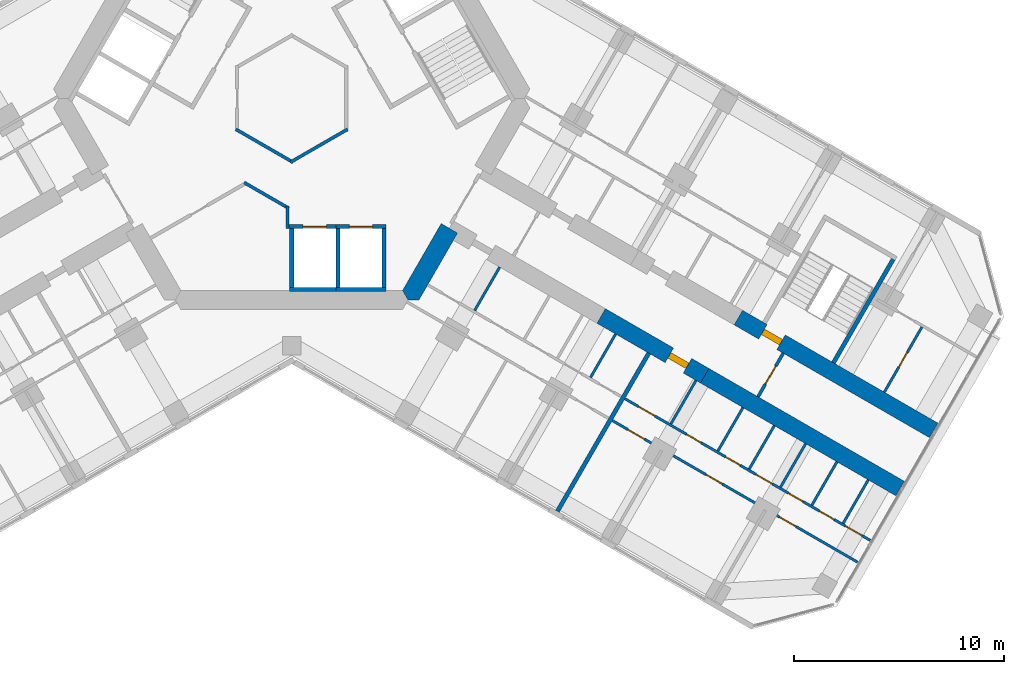
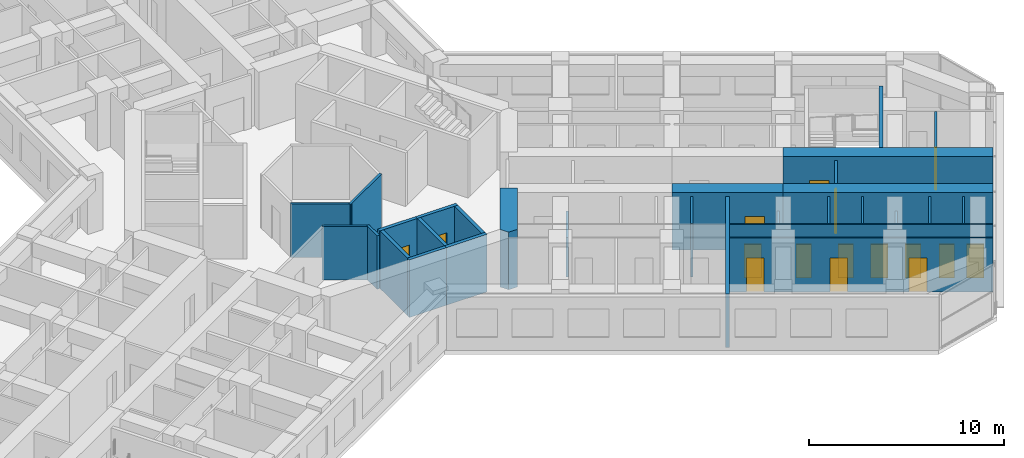
# One storey, part 14 of 19: 29 walls, 16 doors, 16 openings.
"""IFC4 building model written with IfcOpenShell, lengths in metres."""

import ifcopenshell
import ifcopenshell.guid

model = None  # the IFC model being written
_history = None  # IfcOwnerHistory: only IFC2X3 demands one
_inside = {}  # id of a spatial element -> (the spatial element, [elements in it])
_under = {}  # id of a project, library or spatial element -> (it, [spatial elements below it])
_declared = {}  # id of a project -> (the project, [libraries it declares])
_typed = {}  # id of a type object -> (the type object, [elements of that type])
_made_of = {}  # id of a material, layer set ... -> (it, [elements and type objects made of it])


def new_model(schema):
    """Start an empty IFC model of exactly this schema.

    Asked for "IFC4X3", IfcOpenShell would pick the latest addendum, in which some entities
    have other attributes; the version numbers below select the first issue.
    IFC2X3 requires an IfcOwnerHistory on every rooted entity: one is made here for all.
    """
    global model, _history
    if schema == "IFC4X3":
        model = ifcopenshell.file(schema_version=(4, 3, 0, 0))
    else:
        model = ifcopenshell.file(schema=schema)
    _inside.clear()
    _under.clear()
    _declared.clear()
    _typed.clear()
    _made_of.clear()
    _history = None
    if model.schema == "IFC2X3":
        org = make("IfcOrganization", Name="unknown")
        user = make(
            "IfcPersonAndOrganization",
            ThePerson=make("IfcPerson", FamilyName="unknown"),
            TheOrganization=org,
        )
        app = make(
            "IfcApplication",
            ApplicationDeveloper=org,
            Version="unknown",
            ApplicationFullName="unknown",
            ApplicationIdentifier="unknown",
        )
        _history = make(
            "IfcOwnerHistory",
            OwningUser=user,
            OwningApplication=app,
            ChangeAction="ADDED",
            CreationDate=0,
        )
    return model


def make(cls, **values):
    """One entity of the class cls with the attributes given. An attribute that is None is left unset."""
    return model.create_entity(
        cls, **{name: value for name, value in values.items() if value is not None}
    )


def rooted(cls, **values):
    """An entity with a GlobalId (a new one), such as an element, a storey or a relation."""
    return make(cls, GlobalId=ifcopenshell.guid.new(), OwnerHistory=_history, **values)


def si_unit(unit_type, name, prefix=None):
    """IfcSIUnit, for example si_unit("LENGTHUNIT", "METRE", prefix="MILLI")."""
    return make("IfcSIUnit", UnitType=unit_type, Prefix=prefix, Name=name)


def assignment(units):
    """IfcUnitAssignment: the units of a project."""
    return None if units is None else make("IfcUnitAssignment", Units=units)


def point(xyz):
    """IfcCartesianPoint."""
    return None if xyz is None else make("IfcCartesianPoint", Coordinates=xyz)


def direction(xyz):
    """IfcDirection."""
    return None if xyz is None else make("IfcDirection", DirectionRatios=xyz)


def frame(location, z_axis=None, x_axis=None):
    """IfcAxis2Placement3D, a coordinate frame: its origin and axes. An axis left out is left unset."""
    return make(
        "IfcAxis2Placement3D",
        Location=point(location),
        Axis=direction(z_axis),
        RefDirection=direction(x_axis),
    )


def frame_2d(location, x_axis=None):
    """IfcAxis2Placement2D, a coordinate frame in the plane: its origin and x axis."""
    return make(
        "IfcAxis2Placement2D", Location=point(location), RefDirection=direction(x_axis)
    )


def origin():
    """The frame at (0, 0, 0) with its axes left unset."""
    return frame((0.0, 0.0, 0.0))


def place(relative_to, where):
    """IfcLocalPlacement: puts the frame where relative to a parent placement (None: the world)."""
    return make(
        "IfcLocalPlacement", PlacementRelTo=relative_to, RelativePlacement=where
    )


def context(
    kind, dimensions, precision=None, world=None, true_north=None, identifier=None
):
    """IfcGeometricRepresentationContext, for example the 3D "Model" context."""
    return make(
        "IfcGeometricRepresentationContext",
        ContextIdentifier=identifier,
        ContextType=kind,
        CoordinateSpaceDimension=dimensions,
        Precision=precision,
        WorldCoordinateSystem=world,
        TrueNorth=true_north,
    )


def subcontext(parent, identifier, kind, view, scale=None):
    """IfcGeometricRepresentationSubContext, for example "Body" below "Model"."""
    return make(
        "IfcGeometricRepresentationSubContext",
        ContextIdentifier=identifier,
        ContextType=kind,
        ParentContext=parent,
        TargetScale=scale,
        TargetView=view,
    )


def project(units=None, contexts=None):
    """IfcProject with its units and contexts."""
    return rooted(
        "IfcProject",
        Name="project",
        RepresentationContexts=contexts,
        UnitsInContext=assignment(units),
    )


def spatial(cls, under=None, at=None, **own):
    """A site, building, storey or space (cls), placed at a placement, below another one or the project."""
    s = rooted(cls, ObjectPlacement=at, **own)
    if under is not None:
        _under.setdefault(under.id(), (under, []))[1].append(s)
    return s


def polyline(points):
    """IfcPolyline through the points."""
    return make("IfcPolyline", Points=[point(p) for p in points])


def profile(cls, at=None, kind="AREA", **sizes):
    """A parametric profile (cls). Its sizes go by their IFC names, for example OverallWidth=200.0."""
    return make(cls, ProfileType=kind, Position=at, **sizes)


def rectangle(**sizes):
    """IfcRectangleProfileDef."""
    return profile("IfcRectangleProfileDef", **sizes)


def outline(outer, holes=None, kind="AREA"):
    """IfcArbitraryClosedProfileDef: a profile drawn as a closed curve; with holes, ...WithVoids."""
    if holes is None:
        return make("IfcArbitraryClosedProfileDef", ProfileType=kind, OuterCurve=outer)
    return make(
        "IfcArbitraryProfileDefWithVoids",
        ProfileType=kind,
        OuterCurve=outer,
        InnerCurves=holes,
    )


def extrude(swept, where, along, depth):
    """IfcExtrudedAreaSolid: the profile swept, set in the frame where, extruded along a direction by depth."""
    return make(
        "IfcExtrudedAreaSolid",
        SweptArea=swept,
        Position=where,
        ExtrudedDirection=direction(along),
        Depth=depth,
    )


def shape(context_of_items, identifier, shape_type, items):
    """IfcShapeRepresentation: the items that make up one representation, for example the "Body"."""
    return make(
        "IfcShapeRepresentation",
        ContextOfItems=context_of_items,
        RepresentationIdentifier=identifier,
        RepresentationType=shape_type,
        Items=items,
    )


def material(Name=None, Category=None):
    """IfcMaterial."""
    return make("IfcMaterial", Name=Name, Category=Category)


def layer(
    of_material, thickness, ventilated=None, Name=None, Category=None, Priority=None
):
    """IfcMaterialLayer: one layer of a wall or slab, of a material (None: an air gap)."""
    return make(
        "IfcMaterialLayer",
        Material=of_material,
        LayerThickness=thickness,
        IsVentilated=ventilated,
        Name=Name,
        Category=Category,
        Priority=Priority,
    )


def layer_set(layers, Name=None):
    """IfcMaterialLayerSet."""
    return make("IfcMaterialLayerSet", MaterialLayers=layers, LayerSetName=Name)


def made_of(thing, what):
    """Note that an element or type object is made of a material, layer set ...; save() writes the relation."""
    if what is not None:
        _made_of.setdefault(what.id(), (what, []))[1].append(thing)
    return thing


def type_object(cls, material=None, **own):
    """A type object (cls), such as IfcWallType, which elements share."""
    return made_of(rooted(cls, **own), material)


def element(
    cls,
    number,
    at=None,
    inside=None,
    cuts=None,
    type_object=None,
    material=None,
    context=None,
    identifier="Body",
    shape_type=None,
    held_by="IfcProductDefinitionShape",
    body=None,
    shapes=None,
    **own,
):
    """One element of the class cls, such as IfcWall. Its Tag is "e" and its number.

    at: its placement. inside: the storey or other place that contains it. cuts: it is an
    opening in that element (IfcRelVoidsElement). A single representation is given by context,
    identifier, shape_type and body (its items); several are given by shapes. held_by: the class
    of the entity that holds the representations. save() writes the other relations.
    """
    e = rooted(cls, Tag="e%d" % number, ObjectPlacement=at, **own)
    if body is not None:
        shapes = [shape(context, identifier, shape_type, body)]
    if shapes is not None:
        e.Representation = make(held_by, Representations=shapes)
    if inside is not None:
        _inside.setdefault(inside.id(), (inside, []))[1].append(e)
    if cuts is not None:
        rooted(
            "IfcRelVoidsElement", RelatingBuildingElement=cuts, RelatedOpeningElement=e
        )
    if type_object is not None:
        _typed.setdefault(type_object.id(), (type_object, []))[1].append(e)
    return made_of(e, material)


def fill(opening, filler):
    """IfcRelFillsElement: the door or window that sits in an opening."""
    return rooted(
        "IfcRelFillsElement",
        RelatingOpeningElement=opening,
        RelatedBuildingElement=filler,
    )


def aggregate(whole, parts):
    """IfcRelAggregates: a whole, such as a stair, and the parts it consists of."""
    return rooted("IfcRelAggregates", RelatingObject=whole, RelatedObjects=parts)


def save(model, path):
    """Write the relations noted so far, then the file.

    IfcRelAggregates (storeys below a building ...), IfcRelContainedInSpatialStructure (elements
    in a storey), IfcRelDefinesByType, IfcRelAssociatesMaterial and IfcRelDeclares: one each for
    every whole, place, type object, material and project.
    """
    for whole, parts in _under.values():
        aggregate(whole, parts)
    for where, things in _inside.values():
        rooted(
            "IfcRelContainedInSpatialStructure",
            RelatedElements=things,
            RelatingStructure=where,
        )
    for kind, things in _typed.values():
        rooted("IfcRelDefinesByType", RelatedObjects=things, RelatingType=kind)
    for what, things in _made_of.values():
        rooted("IfcRelAssociatesMaterial", RelatedObjects=things, RelatingMaterial=what)
    for by, libraries in _declared.values():
        rooted("IfcRelDeclares", RelatingContext=by, RelatedDefinitions=libraries)
    model.write(path)


model = new_model("IFC4")

# Units and contexts
model_context = context("Model", 3, precision=1e-05, world=origin(), true_north=direction((0.0, 1.0)))
body_context = subcontext(model_context, "Body", "Model", "MODEL_VIEW")
ifc_project = project(units=[si_unit("LENGTHUNIT", "METRE"), si_unit("AREAUNIT", "SQUARE_METRE"), si_unit("VOLUMEUNIT", "CUBIC_METRE"), si_unit("PLANEANGLEUNIT", "RADIAN"), si_unit("MASSUNIT", "GRAM", prefix="KILO")], contexts=[model_context])

# Site, building, storey
site_placement = place(None, origin())
site = spatial("IfcSite", under=ifc_project, at=site_placement, CompositionType="ELEMENT")
building_placement = place(site_placement, origin())
building = spatial("IfcBuilding", under=site, at=building_placement, Name="Kosmar Iwan School Tower", CompositionType="ELEMENT")
storey_placement = place(building_placement, frame((0.0, 0.0, 168.800048828125)))
storey = spatial("IfcBuildingStorey", under=building, at=storey_placement, Name="L42", CompositionType="ELEMENT", Elevation=168.800048828125)

# Walls
ifc_material_1 = material(Name="Gypsum board on steel studs, fire-rated", Category="steel")
ifc_layer_1 = layer(ifc_material_1, 0.14990234375)
ifc_layer_set_1 = layer_set([ifc_layer_1], Name="Core room partition 150")
wall_type_1 = type_object("IfcWallType", Name="Core room partition 150", PredefinedType="PARTITIONING", material=ifc_layer_set_1)
wall_1_placement = place(storey_placement, frame((-2.264892578125, -4.00390625, 0.0), z_axis=(0.0, 0.0, 1.0), x_axis=(0.866016967894, -0.500014611105, 0.0)))
element("IfcWall", 1, at=wall_1_placement, inside=storey, type_object=wall_type_1, Name="Core room partition L42-CW6", PredefinedType="PARTITIONING", context=body_context, shape_type="SweptSolid", body=[
    extrude(rectangle(XDim=2.45947265625, YDim=0.14990234375, at=frame_2d((1.229736328125, 0.0))), origin(), (0.0, 0.0, 1.0), 3.349853515625),
])
wall_2_placement = place(storey_placement, frame((-0.199951171875, -5.12109375, 0.0), z_axis=(0.0, 0.0, 1.0), x_axis=(0.0, -1.0, 0.0)))
element("IfcWall", 2, at=wall_2_placement, inside=storey, type_object=wall_type_1, Name="Core room partition L42-CW7", PredefinedType="PARTITIONING", context=body_context, shape_type="SweptSolid", body=[
    extrude(rectangle(XDim=1.078857421875, YDim=0.14990234375, at=frame_2d((0.53955078125, 0.0))), origin(), (0.0, 0.0, 1.0), 3.349853515625),
])
for number, where, z_axis, x_axis, name in (
    (3, (2.6650390625, -1.463623046875, 0.0), (0.0, 0.0, 1.0), (-0.866023080072, -0.500004024767, 0.0), "Core room partition L42-CW8"),
    (4, (0.06494140625, -3.039794921875, 0.0), (0.0, 0.0, 1.0), (-0.866023080072, 0.500004024767, 0.0), "Core room partition L42-CW9"),
):
    element("IfcWall", number, at=place(storey_placement, frame(where, z_axis=z_axis, x_axis=x_axis)), inside=storey, type_object=wall_type_1, Name=name, PredefinedType="PARTITIONING", context=body_context, shape_type="SweptSolid", body=[
        extrude(rectangle(XDim=3.15234375, YDim=0.14990234375, at=frame_2d((1.576171875, 0.0))), origin(), (0.0, 0.0, 1.0), 3.349853515625),
    ])
ifc_material_2 = material(Name="Concrete C50/60", Category="concrete")
ifc_layer_2 = layer(ifc_material_2, 0.89990234375)
ifc_layer_set_2 = layer_set([ifc_layer_2], Name="Core wall 900")
wall_type_2 = type_object("IfcWallType", Name="Core wall 900", PredefinedType="SHEAR", material=ifc_layer_set_2)
wall_3_placement = place(storey_placement, origin())
element("IfcWall", 5, at=wall_3_placement, inside=storey, type_object=wall_type_2, Name="Core wall F330a", PredefinedType="SHEAR", context=body_context, shape_type="SweptSolid", body=[
    extrude(outline(polyline([(5.54248046875, -9.60009765625), (6.062255859375, -9.60009765625), (7.903564453125, -6.41064453125), (7.1240234375, -5.960693359375), (5.28271484375, -9.14990234375), (5.54248046875, -9.60009765625)])), origin(), (0.0, 0.0, 1.0), 3.599853515625),
])

# Wall, opening, door
ifc_material_3 = material(Name="Concrete C50/60", Category="concrete")
ifc_layer_3 = layer(ifc_material_3, 0.800048828125)
ifc_layer_set_3 = layer_set([ifc_layer_3], Name="Corridor buttress wall 800")
wall_type_3 = type_object("IfcWallType", Name="Corridor buttress wall 800", PredefinedType="SHEAR", material=ifc_layer_set_3)
wall_4_placement = place(storey_placement, frame((21.281494140625, -10.439453125, 0.0), z_axis=(0.0, 0.0, 1.0), x_axis=(0.866032345022, -0.499987977232, 0.0)))
wall_4 = element("IfcWall", 6, at=wall_4_placement, inside=storey, type_object=wall_type_3, Name="Corridor wall CL bay 3", PredefinedType="SHEAR", context=body_context, shape_type="SweptSolid", body=[
    extrude(rectangle(XDim=10.744873046875, YDim=0.800048828125, at=frame_2d((5.37255859375, 0.0))), origin(), (0.0, 0.0, 1.0), 3.599853515625),
])
opening_1_placement = place(wall_4_placement, frame((1.35009765625, 0.0, 0.0)))
opening_1 = element("IfcOpeningElement", 7, at=opening_1_placement, cuts=wall_4, Name="Opening D6", PredefinedType="OPENING", context=body_context, shape_type="SweptSolid", body=[
    extrude(rectangle(XDim=1.0, YDim=2.10009765625, at=frame_2d((0.5, 1.050048828125))), frame((0.0, 0.412109375, 0.0), z_axis=(0.0, -1.0, 0.0), x_axis=(1.0, 0.0, 0.0)), (0.0, 0.0, 1.0), 0.823974609375),
])
ifc_material_4 = material(Name="Steel fire door", Category="steel")
door_type_1 = type_object("IfcDoorType", Name="Stair door 1000x2100", OperationType="SINGLE_SWING_LEFT", PredefinedType="DOOR", material=ifc_material_4)
door_1_placement = place(opening_1_placement, origin())
door_1 = element("IfcDoor", 8, at=door_1_placement, inside=storey, type_object=door_type_1, Name="Stair WS3 door L42", OperationType="SINGLE_SWING_LEFT", OverallHeight=2.10009765625, OverallWidth=1.0, PredefinedType="DOOR", context=body_context, shape_type="SweptSolid", body=[
    extrude(rectangle(XDim=1.0, YDim=2.10009765625, at=frame_2d((0.5, 1.050048828125))), frame((0.0, 0.14990234375, 0.0), z_axis=(0.0, -1.0, 0.0), x_axis=(1.0, 0.0, 0.0)), (0.0, 0.0, 1.0), 0.300048828125),
])
fill(opening_1, door_1)

wall_5_placement = place(storey_placement, frame((14.7451171875, -10.360595703125, 0.0), z_axis=(0.0, 0.0, 1.0), x_axis=(0.866015111908, -0.50001782563, 0.0)))
wall_5 = element("IfcWall", 9, at=wall_5_placement, inside=storey, type_object=wall_type_3, Name="Corridor wall CR bay 2", PredefinedType="SHEAR", context=body_context, shape_type="SweptSolid", body=[
    extrude(rectangle(XDim=5.699951171875, YDim=0.800048828125, at=frame_2d((2.85009765625, 0.0))), origin(), (0.0, 0.0, 1.0), 3.599853515625),
])
opening_2_placement = place(wall_5_placement, frame((3.75, 0.0, 0.0)))
opening_2 = element("IfcOpeningElement", 10, at=opening_2_placement, cuts=wall_5, Name="Opening D1", PredefinedType="OPENING", context=body_context, shape_type="SweptSolid", body=[
    extrude(rectangle(XDim=1.0, YDim=2.10009765625, at=frame_2d((0.5, 1.050048828125))), frame((0.0, 0.412109375, 0.0), z_axis=(0.0, -1.0, 0.0), x_axis=(1.0, 0.0, 0.0)), (0.0, 0.0, 1.0), 0.823974609375),
])
ifc_material_5 = material(Name="Timber fire door in steel frame", Category="steel")
door_type_2 = type_object("IfcDoorType", Name="Flat entrance door 1000x2100", OperationType="SINGLE_SWING_LEFT", PredefinedType="DOOR", material=ifc_material_5)
door_2_placement = place(opening_2_placement, origin())
door_2 = element("IfcDoor", 11, at=door_2_placement, inside=storey, type_object=door_type_2, Name="Flat L42-CR2 entrance door", OperationType="SINGLE_SWING_RIGHT", OverallHeight=2.10009765625, OverallWidth=1.0, PredefinedType="DOOR", context=body_context, shape_type="SweptSolid", body=[
    extrude(rectangle(XDim=1.0, YDim=2.10009765625, at=frame_2d((0.5, 1.050048828125))), frame((0.0, 0.14990234375, 0.0), z_axis=(0.0, -1.0, 0.0), x_axis=(1.0, 0.0, 0.0)), (0.0, 0.0, 1.0), 0.300048828125),
])
fill(opening_2, door_2)

# Wall
wall_6_placement = place(storey_placement, frame((19.681396484375, -13.210693359375, 0.0), z_axis=(0.0, 0.0, 1.0), x_axis=(0.866028186671, -0.499995179869, 0.0)))
element("IfcWall", 12, at=wall_6_placement, inside=storey, type_object=wall_type_3, Name="Corridor wall CR bay 3", PredefinedType="SHEAR", context=body_context, shape_type="SweptSolid", body=[
    extrude(rectangle(XDim=10.7451171875, YDim=0.800048828125, at=frame_2d((5.37255859375, 0.0))), origin(), (0.0, 0.0, 1.0), 3.599853515625),
])

# Wall, opening, door
ifc_material_6 = material(Name="Gypsum board on steel studs, fire-rated", Category="steel")
ifc_layer_4 = layer(ifc_material_6, 0.14990234375)
ifc_layer_set_4 = layer_set([ifc_layer_4], Name="Corridor end wall 150")
wall_type_4 = type_object("IfcWallType", Name="Corridor end wall 150", PredefinedType="PARTITIONING", material=ifc_layer_set_4)
wall_7_placement = place(storey_placement, frame((22.2197265625, -14.21435546875, 0.0), z_axis=(0.0, 0.0, 1.0), x_axis=(0.499957262057, 0.866050077142, 0.0)))
wall_7 = element("IfcWall", 13, at=wall_7_placement, inside=storey, type_object=wall_type_4, Name="Partition L42-C-CE", PredefinedType="PARTITIONING", context=body_context, shape_type="SweptSolid", body=[
    extrude(rectangle(XDim=2.400146484375, YDim=0.14990234375, at=frame_2d((1.2001953125, 0.0))), origin(), (0.0, 0.0, 1.0), 3.349853515625),
])
opening_3_placement = place(wall_7_placement, frame((0.699951171875, 0.0, 0.0)))
opening_3 = element("IfcOpeningElement", 14, at=opening_3_placement, cuts=wall_7, Name="Opening D13", PredefinedType="OPENING", context=body_context, shape_type="SweptSolid", body=[
    extrude(rectangle(XDim=1.0, YDim=2.10009765625, at=frame_2d((0.5, 1.050048828125))), frame((0.0, 0.0869140625, 0.0), z_axis=(0.0, -1.0, 0.0), x_axis=(1.0, 0.0, 0.0)), (0.0, 0.0, 1.0), 0.173828125),
])
ifc_material_7 = material(Name="Timber fire door with vision panel", Category="wood")
door_type_3 = type_object("IfcDoorType", Name="Corridor end door 1000x2100", OperationType="SINGLE_SWING_LEFT", PredefinedType="DOOR", material=ifc_material_7)
door_3_placement = place(opening_3_placement, origin())
door_3 = element("IfcDoor", 15, at=door_3_placement, inside=storey, type_object=door_type_3, Name="Family study room door L42-C", OperationType="SINGLE_SWING_RIGHT", OverallHeight=2.10009765625, OverallWidth=1.0, PredefinedType="DOOR", context=body_context, shape_type="SweptSolid", body=[
    extrude(rectangle(XDim=1.0, YDim=2.10009765625, at=frame_2d((0.5, 1.050048828125))), frame((0.0, 0.02490234375, 0.0), z_axis=(0.0, -1.0, 0.0), x_axis=(1.0, 0.0, 0.0)), (0.0, 0.0, 1.0), 0.050048828125),
])
fill(opening_3, door_3)

ifc_material_8 = material(Name="Gypsum board on steel studs", Category="steel")
ifc_layer_5 = layer(ifc_material_8, 0.1201171875)
ifc_layer_set_5 = layer_set([ifc_layer_5], Name="Dwelling partition 120")
wall_type_5 = type_object("IfcWallType", Name="Dwelling partition 120", PredefinedType="PARTITIONING", material=ifc_layer_set_5)
wall_8_placement = place(storey_placement, frame((28.236572265625, -13.992919921875, 0.0), z_axis=(0.0, 0.0, 1.0), x_axis=(0.499971658126, 0.866041766355, 0.0)))
wall_8 = element("IfcWall", 16, at=wall_8_placement, inside=storey, type_object=wall_type_5, Name="Partition L42-CL2-TY", PredefinedType="PARTITIONING", context=body_context, shape_type="SweptSolid", body=[
    extrude(rectangle(XDim=3.590087890625, YDim=0.1201171875, at=frame_2d((1.794921875, 0.0))), origin(), (0.0, 0.0, 1.0), 3.349853515625),
])
opening_4_placement = place(wall_8_placement, frame((1.39501953125, 0.0, 0.0)))
opening_4 = element("IfcOpeningElement", 17, at=opening_4_placement, cuts=wall_8, Name="Opening D3", PredefinedType="OPENING", context=body_context, shape_type="SweptSolid", body=[
    extrude(rectangle(XDim=0.800048828125, YDim=2.10009765625, at=frame_2d((0.39990234375, 1.050048828125))), frame((0.0, 0.072021484375, 0.0), z_axis=(0.0, -1.0, 0.0), x_axis=(1.0, 0.0, 0.0)), (0.0, 0.0, 1.0), 0.14404296875),
])
ifc_material_9 = material(Name="Timber door in timber frame", Category="wood")
door_type_4 = type_object("IfcDoorType", Name="Sanitary room door 800x2100", OperationType="SINGLE_SWING_LEFT", PredefinedType="DOOR", material=ifc_material_9)
door_4_placement = place(opening_4_placement, origin())
door_4 = element("IfcDoor", 18, at=door_4_placement, inside=storey, type_object=door_type_4, Name="Shower room door L42-CL2-T4", OperationType="SINGLE_SWING_RIGHT", OverallHeight=2.10009765625, OverallWidth=0.800048828125, PredefinedType="DOOR", context=body_context, shape_type="SweptSolid", body=[
    extrude(rectangle(XDim=0.800048828125, YDim=2.10009765625, at=frame_2d((0.39990234375, 1.050048828125))), frame((0.0, 0.02490234375, 0.0), z_axis=(0.0, -1.0, 0.0), x_axis=(1.0, 0.0, 0.0)), (0.0, 0.0, 1.0), 0.050048828125),
])
fill(opening_4, door_4)

# Walls
wall_9_placement = place(storey_placement, frame((9.911865234375, -8.031982421875, 0.0), z_axis=(0.0, 0.0, 1.0), x_axis=(-0.500017192868, -0.86601547725, 0.0)))
element("IfcWall", 19, at=wall_9_placement, inside=storey, type_object=wall_type_5, Name="Partition L42-CR1-Y1", PredefinedType="PARTITIONING", context=body_context, shape_type="SweptSolid", body=[
    extrude(rectangle(XDim=2.39013671875, YDim=0.1201171875, at=frame_2d((1.195068359375, 0.0))), origin(), (0.0, 0.0, 1.0), 2.449951171875),
])
wall_10_placement = place(storey_placement, frame((15.435302734375, -11.220947265625, 0.0), z_axis=(0.0, 0.0, 1.0), x_axis=(-0.500017192868, -0.86601547725, 0.0)))
element("IfcWall", 20, at=wall_10_placement, inside=storey, type_object=wall_type_5, Name="Partition L42-CR1-Y4", PredefinedType="PARTITIONING", context=body_context, shape_type="SweptSolid", body=[
    extrude(rectangle(XDim=2.39013671875, YDim=0.1201171875, at=frame_2d((1.195068359375, 0.0))), origin(), (0.0, 0.0, 1.0), 3.349853515625),
])

# Wall, openings, doors
wall_11_placement = place(storey_placement, frame((15.875, -14.3037109375, 0.0), z_axis=(0.0, 0.0, 1.0), x_axis=(0.866023503214, -0.50000329187, 0.0)))
wall_11 = element("IfcWall", 21, at=wall_11_placement, inside=storey, type_object=wall_type_5, Name="Partition L42-CR2-W1", PredefinedType="PARTITIONING", context=body_context, shape_type="SweptSolid", body=[
    extrude(rectangle(XDim=13.4951171875, YDim=0.1201171875, at=frame_2d((6.74755859375, 0.0))), origin(), (0.0, 0.0, 1.0), 3.349853515625),
])
opening_5_placement = place(wall_11_placement, frame((0.75, 0.0, 0.0)))
opening_5 = element("IfcOpeningElement", 22, at=opening_5_placement, cuts=wall_11, Name="Opening D2", PredefinedType="OPENING", context=body_context, shape_type="SweptSolid", body=[
    extrude(rectangle(XDim=0.89990234375, YDim=2.10009765625, at=frame_2d((0.449951171875, 1.050048828125))), frame((0.0, 0.072021484375, 0.0), z_axis=(0.0, -1.0, 0.0), x_axis=(1.0, 0.0, 0.0)), (0.0, 0.0, 1.0), 0.14404296875),
])
opening_6_placement = place(wall_11_placement, frame((3.392333984375, 0.0, 0.0)))
opening_6 = element("IfcOpeningElement", 23, at=opening_6_placement, cuts=wall_11, Name="Opening D3", PredefinedType="OPENING", context=body_context, shape_type="SweptSolid", body=[
    extrude(rectangle(XDim=0.800048828125, YDim=2.10009765625, at=frame_2d((0.39990234375, 1.050048828125))), frame((0.0, 0.072021484375, 0.0), z_axis=(0.0, -1.0, 0.0), x_axis=(1.0, 0.0, 0.0)), (0.0, 0.0, 1.0), 0.14404296875),
])
opening_7_placement = place(wall_11_placement, frame((5.546142578125, 0.0, 0.0)))
opening_7 = element("IfcOpeningElement", 24, at=opening_7_placement, cuts=wall_11, Name="Opening D3", PredefinedType="OPENING", context=body_context, shape_type="SweptSolid", body=[
    extrude(rectangle(XDim=0.800048828125, YDim=2.10009765625, at=frame_2d((0.39990234375, 1.050048828125))), frame((0.0, 0.072021484375, 0.0), z_axis=(0.0, -1.0, 0.0), x_axis=(1.0, 0.0, 0.0)), (0.0, 0.0, 1.0), 0.14404296875),
])
opening_8_placement = place(wall_11_placement, frame((7.21923828125, 0.0, 0.0)))
opening_8 = element("IfcOpeningElement", 25, at=opening_8_placement, cuts=wall_11, Name="Opening D2", PredefinedType="OPENING", context=body_context, shape_type="SweptSolid", body=[
    extrude(rectangle(XDim=0.89990234375, YDim=2.10009765625, at=frame_2d((0.449951171875, 1.050048828125))), frame((0.0, 0.072021484375, 0.0), z_axis=(0.0, -1.0, 0.0), x_axis=(1.0, 0.0, 0.0)), (0.0, 0.0, 1.0), 0.14404296875),
])
opening_9_placement = place(wall_11_placement, frame((8.992431640625, 0.0, 0.0)))
opening_9 = element("IfcOpeningElement", 26, at=opening_9_placement, cuts=wall_11, Name="Opening D3", PredefinedType="OPENING", context=body_context, shape_type="SweptSolid", body=[
    extrude(rectangle(XDim=0.800048828125, YDim=2.10009765625, at=frame_2d((0.39990234375, 1.050048828125))), frame((0.0, 0.072021484375, 0.0), z_axis=(0.0, -1.0, 0.0), x_axis=(1.0, 0.0, 0.0)), (0.0, 0.0, 1.0), 0.14404296875),
])
opening_10_placement = place(wall_11_placement, frame((10.71533203125, 0.0, 0.0)))
opening_10 = element("IfcOpeningElement", 27, at=opening_10_placement, cuts=wall_11, Name="Opening D3", PredefinedType="OPENING", context=body_context, shape_type="SweptSolid", body=[
    extrude(rectangle(XDim=0.800048828125, YDim=2.10009765625, at=frame_2d((0.39990234375, 1.050048828125))), frame((0.0, 0.072021484375, 0.0), z_axis=(0.0, -1.0, 0.0), x_axis=(1.0, 0.0, 0.0)), (0.0, 0.0, 1.0), 0.14404296875),
])
opening_11_placement = place(wall_11_placement, frame((12.136962890625, 0.0, 0.0)))
opening_11 = element("IfcOpeningElement", 28, at=opening_11_placement, cuts=wall_11, Name="Opening D2", PredefinedType="OPENING", context=body_context, shape_type="SweptSolid", body=[
    extrude(rectangle(XDim=0.89990234375, YDim=2.10009765625, at=frame_2d((0.449951171875, 1.050048828125))), frame((0.0, 0.072021484375, 0.0), z_axis=(0.0, -1.0, 0.0), x_axis=(1.0, 0.0, 0.0)), (0.0, 0.0, 1.0), 0.14404296875),
])
ifc_material_10 = material(Name="Timber door in timber frame", Category="wood")
door_type_5 = type_object("IfcDoorType", Name="Internal door 900x2100", OperationType="SINGLE_SWING_LEFT", PredefinedType="DOOR", material=ifc_material_10)
door_5_placement = place(opening_5_placement, origin())
door_5 = element("IfcDoor", 29, at=door_5_placement, inside=storey, type_object=door_type_5, Name="Entrance hall door L42-CR2-S1", OperationType="SINGLE_SWING_LEFT", OverallHeight=2.10009765625, OverallWidth=0.89990234375, PredefinedType="DOOR", context=body_context, shape_type="SweptSolid", body=[
    extrude(rectangle(XDim=0.89990234375, YDim=2.10009765625, at=frame_2d((0.449951171875, 1.050048828125))), frame((0.0, 0.02490234375, 0.0), z_axis=(0.0, -1.0, 0.0), x_axis=(1.0, 0.0, 0.0)), (0.0, 0.0, 1.0), 0.050048828125),
])
fill(opening_5, door_5)
door_6_placement = place(opening_8_placement, origin())
door_6 = element("IfcDoor", 30, at=door_6_placement, inside=storey, type_object=door_type_5, Name="Pantry door L42-CR2-S4", OperationType="SINGLE_SWING_RIGHT", OverallHeight=2.10009765625, OverallWidth=0.89990234375, PredefinedType="DOOR", context=body_context, shape_type="SweptSolid", body=[
    extrude(rectangle(XDim=0.89990234375, YDim=2.10009765625, at=frame_2d((0.449951171875, 1.050048828125))), frame((0.0, 0.02490234375, 0.0), z_axis=(0.0, -1.0, 0.0), x_axis=(1.0, 0.0, 0.0)), (0.0, 0.0, 1.0), 0.050048828125),
])
fill(opening_8, door_6)
door_7_placement = place(opening_11_placement, origin())
door_7 = element("IfcDoor", 31, at=door_7_placement, inside=storey, type_object=door_type_5, Name="Utility room door L42-CR2-S7", OperationType="SINGLE_SWING_LEFT", OverallHeight=2.10009765625, OverallWidth=0.89990234375, PredefinedType="DOOR", context=body_context, shape_type="SweptSolid", body=[
    extrude(rectangle(XDim=0.89990234375, YDim=2.10009765625, at=frame_2d((0.449951171875, 1.050048828125))), frame((0.0, 0.02490234375, 0.0), z_axis=(0.0, -1.0, 0.0), x_axis=(1.0, 0.0, 0.0)), (0.0, 0.0, 1.0), 0.050048828125),
])
fill(opening_11, door_7)
door_8_placement = place(opening_6_placement, origin())
door_8 = element("IfcDoor", 32, at=door_8_placement, inside=storey, type_object=door_type_4, Name="Bathroom door L42-CR2-S2", OperationType="SINGLE_SWING_RIGHT", OverallHeight=2.10009765625, OverallWidth=0.800048828125, PredefinedType="DOOR", context=body_context, shape_type="SweptSolid", body=[
    extrude(rectangle(XDim=0.800048828125, YDim=2.10009765625, at=frame_2d((0.39990234375, 1.050048828125))), frame((0.0, 0.02490234375, 0.0), z_axis=(0.0, -1.0, 0.0), x_axis=(1.0, 0.0, 0.0)), (0.0, 0.0, 1.0), 0.050048828125),
])
fill(opening_6, door_8)
door_9_placement = place(opening_7_placement, origin())
door_9 = element("IfcDoor", 33, at=door_9_placement, inside=storey, type_object=door_type_4, Name="Shower room door L42-CR2-S3", OperationType="SINGLE_SWING_LEFT", OverallHeight=2.10009765625, OverallWidth=0.800048828125, PredefinedType="DOOR", context=body_context, shape_type="SweptSolid", body=[
    extrude(rectangle(XDim=0.800048828125, YDim=2.10009765625, at=frame_2d((0.39990234375, 1.050048828125))), frame((0.0, 0.02490234375, 0.0), z_axis=(0.0, -1.0, 0.0), x_axis=(1.0, 0.0, 0.0)), (0.0, 0.0, 1.0), 0.050048828125),
])
fill(opening_7, door_9)
door_10_placement = place(opening_9_placement, origin())
door_10 = element("IfcDoor", 34, at=door_10_placement, inside=storey, type_object=door_type_4, Name="WC door L42-CR2-S5", OperationType="SINGLE_SWING_LEFT", OverallHeight=2.10009765625, OverallWidth=0.800048828125, PredefinedType="DOOR", context=body_context, shape_type="SweptSolid", body=[
    extrude(rectangle(XDim=0.800048828125, YDim=2.10009765625, at=frame_2d((0.39990234375, 1.050048828125))), frame((0.0, 0.02490234375, 0.0), z_axis=(0.0, -1.0, 0.0), x_axis=(1.0, 0.0, 0.0)), (0.0, 0.0, 1.0), 0.050048828125),
])
fill(opening_9, door_10)
door_11_placement = place(opening_10_placement, origin())
door_11 = element("IfcDoor", 35, at=door_11_placement, inside=storey, type_object=door_type_4, Name="Store door L42-CR2-S6", OperationType="SINGLE_SWING_RIGHT", OverallHeight=2.10009765625, OverallWidth=0.800048828125, PredefinedType="DOOR", context=body_context, shape_type="SweptSolid", body=[
    extrude(rectangle(XDim=0.800048828125, YDim=2.10009765625, at=frame_2d((0.39990234375, 1.050048828125))), frame((0.0, 0.02490234375, 0.0), z_axis=(0.0, -1.0, 0.0), x_axis=(1.0, 0.0, 0.0)), (0.0, 0.0, 1.0), 0.050048828125),
])
fill(opening_10, door_11)

wall_12_placement = place(storey_placement, frame((15.27490234375, -15.343017578125, 0.0), z_axis=(0.0, 0.0, 1.0), x_axis=(0.866023503214, -0.50000329187, 0.0)))
wall_12 = element("IfcWall", 36, at=wall_12_placement, inside=storey, type_object=wall_type_5, Name="Partition L42-CR2-W2", PredefinedType="PARTITIONING", context=body_context, shape_type="SweptSolid", body=[
    extrude(rectangle(XDim=13.4951171875, YDim=0.1201171875, at=frame_2d((6.74755859375, 0.0))), origin(), (0.0, 0.0, 1.0), 3.349853515625),
])
opening_12_placement = place(wall_12_placement, frame((0.875, 0.0, 0.0)))
opening_12 = element("IfcOpeningElement", 37, at=opening_12_placement, cuts=wall_12, Name="Opening D2", PredefinedType="OPENING", context=body_context, shape_type="SweptSolid", body=[
    extrude(rectangle(XDim=0.89990234375, YDim=2.10009765625, at=frame_2d((0.449951171875, 1.050048828125))), frame((0.0, 0.072021484375, 0.0), z_axis=(0.0, -1.0, 0.0), x_axis=(1.0, 0.0, 0.0)), (0.0, 0.0, 1.0), 0.14404296875),
])
opening_13_placement = place(wall_12_placement, frame((5.14990234375, 0.0, 0.0)))
opening_13 = element("IfcOpeningElement", 38, at=opening_13_placement, cuts=wall_12, Name="Opening D2", PredefinedType="OPENING", context=body_context, shape_type="SweptSolid", body=[
    extrude(rectangle(XDim=0.89990234375, YDim=2.10009765625, at=frame_2d((0.449951171875, 1.050048828125))), frame((0.0, 0.072021484375, 0.0), z_axis=(0.0, -1.0, 0.0), x_axis=(1.0, 0.0, 0.0)), (0.0, 0.0, 1.0), 0.14404296875),
])
opening_14_placement = place(wall_12_placement, frame((9.199951171875, 0.0, 0.0)))
opening_14 = element("IfcOpeningElement", 39, at=opening_14_placement, cuts=wall_12, Name="Opening D2", PredefinedType="OPENING", context=body_context, shape_type="SweptSolid", body=[
    extrude(rectangle(XDim=0.89990234375, YDim=2.10009765625, at=frame_2d((0.449951171875, 1.050048828125))), frame((0.0, 0.072021484375, 0.0), z_axis=(0.0, -1.0, 0.0), x_axis=(1.0, 0.0, 0.0)), (0.0, 0.0, 1.0), 0.14404296875),
])
door_12_placement = place(opening_12_placement, origin())
door_12 = element("IfcDoor", 40, at=door_12_placement, inside=storey, type_object=door_type_5, Name="Bedroom 1 door L42-CR2-F1", OperationType="SINGLE_SWING_LEFT", OverallHeight=2.10009765625, OverallWidth=0.89990234375, PredefinedType="DOOR", context=body_context, shape_type="SweptSolid", body=[
    extrude(rectangle(XDim=0.89990234375, YDim=2.10009765625, at=frame_2d((0.449951171875, 1.050048828125))), frame((0.0, 0.02490234375, 0.0), z_axis=(0.0, -1.0, 0.0), x_axis=(1.0, 0.0, 0.0)), (0.0, 0.0, 1.0), 0.050048828125),
])
fill(opening_12, door_12)
door_13_placement = place(opening_13_placement, origin())
door_13 = element("IfcDoor", 41, at=door_13_placement, inside=storey, type_object=door_type_5, Name="Living room and kitchen door L42-CR2-F2", OperationType="SINGLE_SWING_LEFT", OverallHeight=2.10009765625, OverallWidth=0.89990234375, PredefinedType="DOOR", context=body_context, shape_type="SweptSolid", body=[
    extrude(rectangle(XDim=0.89990234375, YDim=2.10009765625, at=frame_2d((0.449951171875, 1.050048828125))), frame((0.0, 0.02490234375, 0.0), z_axis=(0.0, -1.0, 0.0), x_axis=(1.0, 0.0, 0.0)), (0.0, 0.0, 1.0), 0.050048828125),
])
fill(opening_13, door_13)
door_14_placement = place(opening_14_placement, origin())
door_14 = element("IfcDoor", 42, at=door_14_placement, inside=storey, type_object=door_type_5, Name="Bedroom 2 door L42-CR2-F3", OperationType="SINGLE_SWING_RIGHT", OverallHeight=2.10009765625, OverallWidth=0.89990234375, PredefinedType="DOOR", context=body_context, shape_type="SweptSolid", body=[
    extrude(rectangle(XDim=0.89990234375, YDim=2.10009765625, at=frame_2d((0.449951171875, 1.050048828125))), frame((0.0, 0.02490234375, 0.0), z_axis=(0.0, -1.0, 0.0), x_axis=(1.0, 0.0, 0.0)), (0.0, 0.0, 1.0), 0.050048828125),
])
fill(opening_14, door_14)

# Walls
wall_13_placement = place(storey_placement, frame((19.264892578125, -13.43212890625, 0.0), z_axis=(0.0, 0.0, 1.0), x_axis=(-0.499940577336, -0.866059708757, 0.0)))
element("IfcWall", 43, at=wall_13_placement, inside=storey, type_object=wall_type_5, Name="Partition L42-CR2-Y1", PredefinedType="PARTITIONING", context=body_context, shape_type="SweptSolid", body=[
    extrude(rectangle(XDim=2.389892578125, YDim=0.1201171875, at=frame_2d((1.19482421875, 0.0))), origin(), (0.0, 0.0, 1.0), 2.449951171875),
])
for number, where, z_axis, x_axis, name in (
    (44, (21.50341796875, -14.724365234375, 0.0), (0.0, 0.0, 1.0), (-0.500017192868, -0.86601547725, 0.0), "Partition L42-CR2-Y2"),
    (45, (22.99560546875, -15.5859375, 0.0), (0.0, 0.0, 1.0), (-0.500017192868, -0.86601547725, 0.0), "Partition L42-CR2-Y3"),
):
    element("IfcWall", number, at=place(storey_placement, frame(where, z_axis=z_axis, x_axis=x_axis)), inside=storey, type_object=wall_type_5, Name=name, PredefinedType="PARTITIONING", context=body_context, shape_type="SweptSolid", body=[
        extrude(rectangle(XDim=2.39013671875, YDim=0.1201171875, at=frame_2d((1.195068359375, 0.0))), origin(), (0.0, 0.0, 1.0), 3.349853515625),
    ])
wall_14_placement = place(storey_placement, frame((24.48779296875, -16.447509765625, 0.0), z_axis=(0.0, 0.0, 1.0), x_axis=(-0.500017192868, -0.86601547725, 0.0)))
element("IfcWall", 46, at=wall_14_placement, inside=storey, type_object=wall_type_5, Name="Partition L42-CR2-Y4", PredefinedType="PARTITIONING", context=body_context, shape_type="SweptSolid", body=[
    extrude(rectangle(XDim=2.39013671875, YDim=0.1201171875, at=frame_2d((1.195068359375, 0.0))), origin(), (0.0, 0.0, 1.0), 2.449951171875),
])
for number, where, z_axis, x_axis, name in (
    (47, (25.97998046875, -17.30908203125, 0.0), (0.0, 0.0, 1.0), (-0.500061428766, -0.865989934965, 0.0), "Partition L42-CR2-Y5"),
    (48, (27.47216796875, -18.17041015625, 0.0), (0.0, 0.0, 1.0), (-0.499940577336, -0.866059708757, 0.0), "Partition L42-CR2-Y6"),
):
    element("IfcWall", number, at=place(storey_placement, frame(where, z_axis=z_axis, x_axis=x_axis)), inside=storey, type_object=wall_type_5, Name=name, PredefinedType="PARTITIONING", context=body_context, shape_type="SweptSolid", body=[
        extrude(rectangle(XDim=2.389892578125, YDim=0.1201171875, at=frame_2d((1.19482421875, 0.0))), origin(), (0.0, 0.0, 1.0), 3.349853515625),
    ])
ifc_material_11 = material(Name="Concrete C35/45", Category="concrete")
ifc_layer_6 = layer(ifc_material_11, 0.199951171875)
ifc_layer_set_6 = layer_set([ifc_layer_6], Name="Escape stair wall 200")
wall_type_6 = type_object("IfcWallType", Name="Escape stair wall 200", PredefinedType="SHEAR", material=ifc_layer_set_6)
wall_15_placement = place(storey_placement, frame((25.8115234375, -12.593017578125, 0.0), z_axis=(0.0, 0.0, 1.0), x_axis=(0.500019744199, 0.866014004166, 0.0)))
element("IfcWall", 49, at=wall_15_placement, inside=storey, type_object=wall_type_6, Name="Stair WS3 wall", PredefinedType="SHEAR", context=body_context, shape_type="SweptSolid", body=[
    extrude(rectangle(XDim=5.900146484375, YDim=0.199951171875, at=frame_2d((2.9501953125, 0.0))), origin(), (0.0, 0.0, 1.0), 3.329833984375),
])

# Wall, opening, door
ifc_material_12 = material(Name="Concrete C50/60", Category="concrete")
ifc_layer_7 = layer(ifc_material_12, 0.199951171875)
ifc_layer_set_7 = layer_set([ifc_layer_7], Name="Lift shaft wall 200")
wall_type_7 = type_object("IfcWallType", Name="Lift shaft wall 200", PredefinedType="SHEAR", material=ifc_layer_set_7)
wall_16_placement = place(storey_placement, frame((-0.125, -6.10009765625, 0.0), z_axis=(0.0, 0.0, 1.0), x_axis=(1.0, 0.0, 0.0)))
wall_16 = element("IfcWall", 50, at=wall_16_placement, inside=storey, type_object=wall_type_7, Name="Lift and stair front wall BC", PredefinedType="SHEAR", context=body_context, shape_type="SweptSolid", body=[
    extrude(rectangle(XDim=2.22509765625, YDim=0.199951171875, at=frame_2d((1.112548828125, 0.0))), origin(), (0.0, 0.0, 1.0), 3.599853515625),
])
opening_15_placement = place(wall_16_placement, frame((0.675048828125, 0.0, 0.0)))
opening_15 = element("IfcOpeningElement", 51, at=opening_15_placement, cuts=wall_16, Name="Opening LD1", PredefinedType="OPENING", context=body_context, shape_type="SweptSolid", body=[
    extrude(rectangle(XDim=1.10009765625, YDim=2.10009765625, at=frame_2d((0.550048828125, 1.050048828125))), frame((0.0, 0.112060546875, 0.0), z_axis=(0.0, -1.0, 0.0), x_axis=(1.0, 0.0, 0.0)), (0.0, 0.0, 1.0), 0.223876953125),
])
ifc_material_13 = material(Name="Stainless steel sliding lift door", Category="steel")
door_type_6 = type_object("IfcDoorType", Name="Lift landing door 1100x2100", OperationType="SLIDING_TO_LEFT", PredefinedType="DOOR", material=ifc_material_13)
door_15_placement = place(opening_15_placement, origin())
door_15 = element("IfcDoor", 52, at=door_15_placement, inside=storey, type_object=door_type_6, Name="Lift PL3 landing door L42", OperationType="SLIDING_TO_LEFT", OverallHeight=2.10009765625, OverallWidth=1.10009765625, PredefinedType="DOOR", context=body_context, shape_type="SweptSolid", body=[
    extrude(rectangle(XDim=1.10009765625, YDim=2.10009765625, at=frame_2d((0.550048828125, 1.050048828125))), frame((0.0, 0.02490234375, 0.0), z_axis=(0.0, -1.0, 0.0), x_axis=(1.0, 0.0, 0.0)), (0.0, 0.0, 1.0), 0.050048828125),
])
fill(opening_15, door_15)

# Wall
wall_17_placement = place(storey_placement, frame((-0.10009765625, -9.10009765625, 0.0), z_axis=(0.0, 0.0, 1.0), x_axis=(1.0, 0.0, 0.0)))
element("IfcWall", 53, at=wall_17_placement, inside=storey, type_object=wall_type_7, Name="Lift and stair back wall BC", PredefinedType="SHEAR", context=body_context, shape_type="SweptSolid", body=[
    extrude(rectangle(XDim=2.2001953125, YDim=0.199951171875, at=frame_2d((1.10009765625, 0.0))), origin(), (0.0, 0.0, 1.0), 3.599853515625),
])

# Wall, opening, door
wall_18_placement = place(storey_placement, frame((2.10009765625, -6.10009765625, 0.0), z_axis=(0.0, 0.0, 1.0), x_axis=(1.0, 0.0, 0.0)))
wall_18 = element("IfcWall", 54, at=wall_18_placement, inside=storey, type_object=wall_type_7, Name="Lift and stair front wall BC", PredefinedType="SHEAR", context=body_context, shape_type="SweptSolid", body=[
    extrude(rectangle(XDim=2.39990234375, YDim=0.199951171875, at=frame_2d((1.199951171875, 0.0))), origin(), (0.0, 0.0, 1.0), 3.599853515625),
])
opening_16_placement = place(wall_18_placement, frame((0.64990234375, 0.0, 0.0)))
opening_16 = element("IfcOpeningElement", 55, at=opening_16_placement, cuts=wall_18, Name="Opening LD1", PredefinedType="OPENING", context=body_context, shape_type="SweptSolid", body=[
    extrude(rectangle(XDim=1.10009765625, YDim=2.10009765625, at=frame_2d((0.550048828125, 1.050048828125))), frame((0.0, 0.112060546875, 0.0), z_axis=(0.0, -1.0, 0.0), x_axis=(1.0, 0.0, 0.0)), (0.0, 0.0, 1.0), 0.223876953125),
])
door_16_placement = place(opening_16_placement, origin())
door_16 = element("IfcDoor", 56, at=door_16_placement, inside=storey, type_object=door_type_6, Name="Lift PL4 landing door L42", OperationType="SLIDING_TO_LEFT", OverallHeight=2.10009765625, OverallWidth=1.10009765625, PredefinedType="DOOR", context=body_context, shape_type="SweptSolid", body=[
    extrude(rectangle(XDim=1.10009765625, YDim=2.10009765625, at=frame_2d((0.550048828125, 1.050048828125))), frame((0.0, 0.02490234375, 0.0), z_axis=(0.0, -1.0, 0.0), x_axis=(1.0, 0.0, 0.0)), (0.0, 0.0, 1.0), 0.050048828125),
])
fill(opening_16, door_16)

# Walls
wall_19_placement = place(storey_placement, frame((2.10009765625, -9.10009765625, 0.0), z_axis=(0.0, 0.0, 1.0), x_axis=(1.0, 0.0, 0.0)))
element("IfcWall", 57, at=wall_19_placement, inside=storey, type_object=wall_type_7, Name="Lift and stair back wall BC", PredefinedType="SHEAR", context=body_context, shape_type="SweptSolid", body=[
    extrude(rectangle(XDim=2.39990234375, YDim=0.199951171875, at=frame_2d((1.199951171875, 0.0))), origin(), (0.0, 0.0, 1.0), 3.599853515625),
])
for number, where, z_axis, x_axis, name in (
    (58, (0.0, -6.199951171875, 0.0), (0.0, 0.0, 1.0), (0.0, -1.0, 0.0), "Lift shaft wall BC 0"),
    (59, (2.199951171875, -6.199951171875, 0.0), (0.0, 0.0, 1.0), (0.0, -1.0, 0.0), "Lift shaft wall BC 1"),
    (60, (4.39990234375, -6.199951171875, 0.0), (0.0, 0.0, 1.0), (0.0, -1.0, 0.0), "Lift shaft wall BC 2"),
):
    element("IfcWall", number, at=place(storey_placement, frame(where, z_axis=z_axis, x_axis=x_axis)), inside=storey, type_object=wall_type_7, Name=name, PredefinedType="SHEAR", context=body_context, shape_type="SweptSolid", body=[
        extrude(rectangle(XDim=2.800048828125, YDim=0.199951171875, at=frame_2d((1.39990234375, 0.0))), origin(), (0.0, 0.0, 1.0), 3.599853515625),
    ])
ifc_material_14 = material(Name="Concrete block masonry", Category="masonry")
ifc_layer_8 = layer(ifc_material_14, 0.199951171875)
ifc_layer_set_8 = layer_set([ifc_layer_8], Name="Party wall 200")
wall_type_8 = type_object("IfcWallType", Name="Party wall 200", PredefinedType="PARTITIONING", material=ifc_layer_set_8)
wall_20_placement = place(storey_placement, frame((17.013427734375, -12.132080078125, 0.0), z_axis=(0.0, 0.0, 1.0), x_axis=(-0.500008278454, -0.866020624164, 0.0)))
element("IfcWall", 61, at=wall_20_placement, inside=storey, type_object=wall_type_8, Name="Partition L42-CR2-PW", PredefinedType="PARTITIONING", context=body_context, shape_type="SweptSolid", body=[
    extrude(rectangle(XDim=8.699951171875, YDim=0.199951171875, at=frame_2d((4.35009765625, 0.0))), origin(), (0.0, 0.0, 1.0), 3.349853515625),
])

save(model, "model.ifc")
